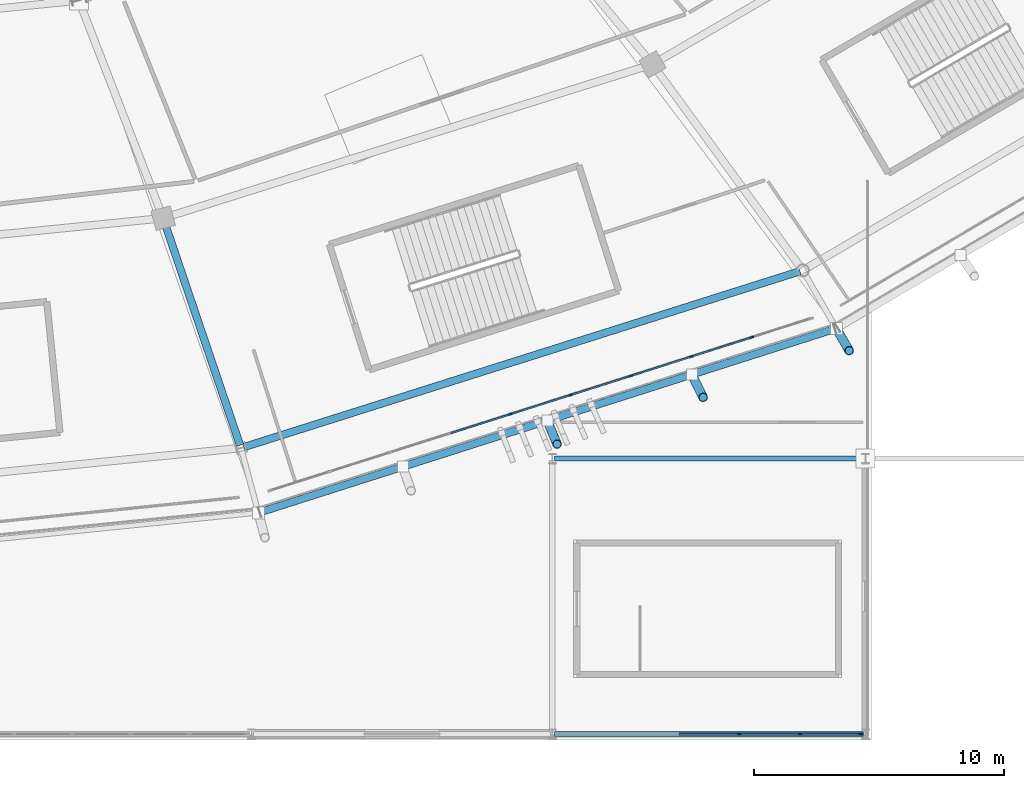
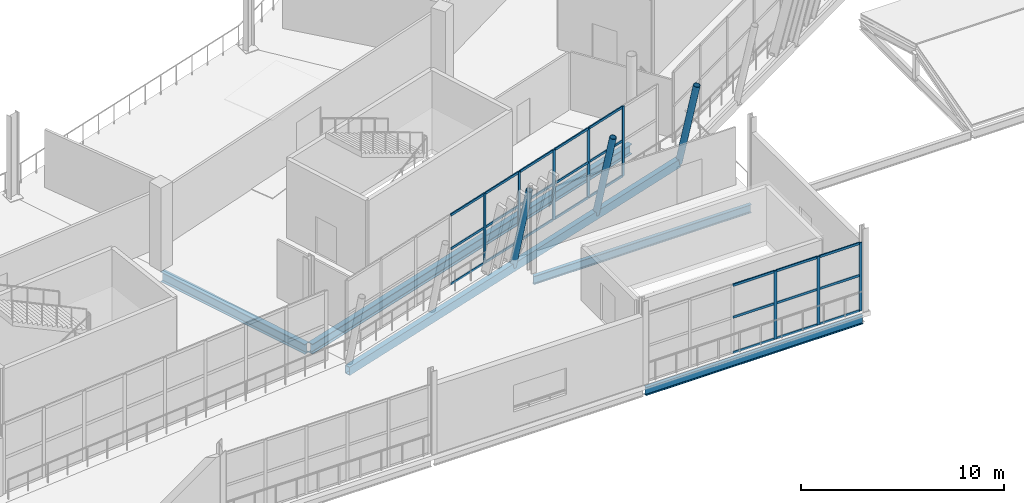
# One storey, part 50 of 179: 35 members, 5 beams, 2 elements without a shape of their own.
"""IFC4 building model written with IfcOpenShell, lengths in metres."""

import ifcopenshell
import ifcopenshell.guid

model = None  # the IFC model being written
_history = None  # IfcOwnerHistory: only IFC2X3 demands one
_inside = {}  # id of a spatial element -> (the spatial element, [elements in it])
_under = {}  # id of a project, library or spatial element -> (it, [spatial elements below it])
_declared = {}  # id of a project -> (the project, [libraries it declares])
_typed = {}  # id of a type object -> (the type object, [elements of that type])
_made_of = {}  # id of a material, layer set ... -> (it, [elements and type objects made of it])


def new_model(schema):
    """Start an empty IFC model of exactly this schema.

    Asked for "IFC4X3", IfcOpenShell would pick the latest addendum, in which some entities
    have other attributes; the version numbers below select the first issue.
    IFC2X3 requires an IfcOwnerHistory on every rooted entity: one is made here for all.
    """
    global model, _history
    if schema == "IFC4X3":
        model = ifcopenshell.file(schema_version=(4, 3, 0, 0))
    else:
        model = ifcopenshell.file(schema=schema)
    _inside.clear()
    _under.clear()
    _declared.clear()
    _typed.clear()
    _made_of.clear()
    _history = None
    if model.schema == "IFC2X3":
        org = make("IfcOrganization", Name="unknown")
        user = make(
            "IfcPersonAndOrganization",
            ThePerson=make("IfcPerson", FamilyName="unknown"),
            TheOrganization=org,
        )
        app = make(
            "IfcApplication",
            ApplicationDeveloper=org,
            Version="unknown",
            ApplicationFullName="unknown",
            ApplicationIdentifier="unknown",
        )
        _history = make(
            "IfcOwnerHistory",
            OwningUser=user,
            OwningApplication=app,
            ChangeAction="ADDED",
            CreationDate=0,
        )
    return model


def make(cls, **values):
    """One entity of the class cls with the attributes given. An attribute that is None is left unset."""
    return model.create_entity(
        cls, **{name: value for name, value in values.items() if value is not None}
    )


def rooted(cls, **values):
    """An entity with a GlobalId (a new one), such as an element, a storey or a relation."""
    return make(cls, GlobalId=ifcopenshell.guid.new(), OwnerHistory=_history, **values)


def si_unit(unit_type, name, prefix=None):
    """IfcSIUnit, for example si_unit("LENGTHUNIT", "METRE", prefix="MILLI")."""
    return make("IfcSIUnit", UnitType=unit_type, Prefix=prefix, Name=name)


def assignment(units):
    """IfcUnitAssignment: the units of a project."""
    return None if units is None else make("IfcUnitAssignment", Units=units)


def point(xyz):
    """IfcCartesianPoint."""
    return None if xyz is None else make("IfcCartesianPoint", Coordinates=xyz)


def direction(xyz):
    """IfcDirection."""
    return None if xyz is None else make("IfcDirection", DirectionRatios=xyz)


def frame(location, z_axis=None, x_axis=None):
    """IfcAxis2Placement3D, a coordinate frame: its origin and axes. An axis left out is left unset."""
    return make(
        "IfcAxis2Placement3D",
        Location=point(location),
        Axis=direction(z_axis),
        RefDirection=direction(x_axis),
    )


def frame_2d(location, x_axis=None):
    """IfcAxis2Placement2D, a coordinate frame in the plane: its origin and x axis."""
    return make(
        "IfcAxis2Placement2D", Location=point(location), RefDirection=direction(x_axis)
    )


def origin():
    """The frame at (0, 0, 0) with its axes left unset."""
    return frame((0.0, 0.0, 0.0))


def origin_2d():
    """The frame at (0, 0) in the plane with its x axis left unset."""
    return frame_2d((0.0, 0.0))


def place(relative_to, where):
    """IfcLocalPlacement: puts the frame where relative to a parent placement (None: the world)."""
    return make(
        "IfcLocalPlacement", PlacementRelTo=relative_to, RelativePlacement=where
    )


def context(
    kind, dimensions, precision=None, world=None, true_north=None, identifier=None
):
    """IfcGeometricRepresentationContext, for example the 3D "Model" context."""
    return make(
        "IfcGeometricRepresentationContext",
        ContextIdentifier=identifier,
        ContextType=kind,
        CoordinateSpaceDimension=dimensions,
        Precision=precision,
        WorldCoordinateSystem=world,
        TrueNorth=true_north,
    )


def subcontext(parent, identifier, kind, view, scale=None):
    """IfcGeometricRepresentationSubContext, for example "Body" below "Model"."""
    return make(
        "IfcGeometricRepresentationSubContext",
        ContextIdentifier=identifier,
        ContextType=kind,
        ParentContext=parent,
        TargetScale=scale,
        TargetView=view,
    )


def project(units=None, contexts=None):
    """IfcProject with its units and contexts."""
    return rooted(
        "IfcProject",
        Name="project",
        RepresentationContexts=contexts,
        UnitsInContext=assignment(units),
    )


def spatial(cls, under=None, at=None, **own):
    """A site, building, storey or space (cls), placed at a placement, below another one or the project."""
    s = rooted(cls, ObjectPlacement=at, **own)
    if under is not None:
        _under.setdefault(under.id(), (under, []))[1].append(s)
    return s


def profile(cls, at=None, kind="AREA", **sizes):
    """A parametric profile (cls). Its sizes go by their IFC names, for example OverallWidth=200.0."""
    return make(cls, ProfileType=kind, Position=at, **sizes)


def rectangle(**sizes):
    """IfcRectangleProfileDef."""
    return profile("IfcRectangleProfileDef", **sizes)


def hollow_rectangle(**sizes):
    """IfcRectangleHollowProfileDef."""
    return profile("IfcRectangleHollowProfileDef", **sizes)


def hollow_circle(**sizes):
    """IfcCircleHollowProfileDef."""
    return profile("IfcCircleHollowProfileDef", **sizes)


def i_section(**sizes):
    """IfcIShapeProfileDef."""
    return profile("IfcIShapeProfileDef", **sizes)


def extrude(swept, where, along, depth):
    """IfcExtrudedAreaSolid: the profile swept, set in the frame where, extruded along a direction by depth."""
    return make(
        "IfcExtrudedAreaSolid",
        SweptArea=swept,
        Position=where,
        ExtrudedDirection=direction(along),
        Depth=depth,
    )


def shape(context_of_items, identifier, shape_type, items):
    """IfcShapeRepresentation: the items that make up one representation, for example the "Body"."""
    return make(
        "IfcShapeRepresentation",
        ContextOfItems=context_of_items,
        RepresentationIdentifier=identifier,
        RepresentationType=shape_type,
        Items=items,
    )


def material(Name=None, Category=None):
    """IfcMaterial."""
    return make("IfcMaterial", Name=Name, Category=Category)


def material_profile(
    of_material, cross_section, Name=None, Category=None, Priority=None
):
    """IfcMaterialProfile: a cross section and its material."""
    return make(
        "IfcMaterialProfile",
        Name=Name,
        Material=of_material,
        Profile=cross_section,
        Priority=Priority,
        Category=Category,
    )


def profile_set(profiles, Name=None, composite=None):
    """IfcMaterialProfileSet."""
    return make(
        "IfcMaterialProfileSet",
        Name=Name,
        MaterialProfiles=profiles,
        CompositeProfile=composite,
    )


def made_of(thing, what):
    """Note that an element or type object is made of a material, layer set ...; save() writes the relation."""
    if what is not None:
        _made_of.setdefault(what.id(), (what, []))[1].append(thing)
    return thing


def type_object(cls, material=None, **own):
    """A type object (cls), such as IfcWallType, which elements share."""
    return made_of(rooted(cls, **own), material)


def element(
    cls,
    number,
    at=None,
    inside=None,
    cuts=None,
    type_object=None,
    material=None,
    context=None,
    identifier="Body",
    shape_type=None,
    held_by="IfcProductDefinitionShape",
    body=None,
    shapes=None,
    **own,
):
    """One element of the class cls, such as IfcWall. Its Tag is "e" and its number.

    at: its placement. inside: the storey or other place that contains it. cuts: it is an
    opening in that element (IfcRelVoidsElement). A single representation is given by context,
    identifier, shape_type and body (its items); several are given by shapes. held_by: the class
    of the entity that holds the representations. save() writes the other relations.
    """
    e = rooted(cls, Tag="e%d" % number, ObjectPlacement=at, **own)
    if body is not None:
        shapes = [shape(context, identifier, shape_type, body)]
    if shapes is not None:
        e.Representation = make(held_by, Representations=shapes)
    if inside is not None:
        _inside.setdefault(inside.id(), (inside, []))[1].append(e)
    if cuts is not None:
        rooted(
            "IfcRelVoidsElement", RelatingBuildingElement=cuts, RelatedOpeningElement=e
        )
    if type_object is not None:
        _typed.setdefault(type_object.id(), (type_object, []))[1].append(e)
    return made_of(e, material)


def aggregate(whole, parts):
    """IfcRelAggregates: a whole, such as a stair, and the parts it consists of."""
    return rooted("IfcRelAggregates", RelatingObject=whole, RelatedObjects=parts)


def save(model, path):
    """Write the relations noted so far, then the file.

    IfcRelAggregates (storeys below a building ...), IfcRelContainedInSpatialStructure (elements
    in a storey), IfcRelDefinesByType, IfcRelAssociatesMaterial and IfcRelDeclares: one each for
    every whole, place, type object, material and project.
    """
    for whole, parts in _under.values():
        aggregate(whole, parts)
    for where, things in _inside.values():
        rooted(
            "IfcRelContainedInSpatialStructure",
            RelatedElements=things,
            RelatingStructure=where,
        )
    for kind, things in _typed.values():
        rooted("IfcRelDefinesByType", RelatedObjects=things, RelatingType=kind)
    for what, things in _made_of.values():
        rooted("IfcRelAssociatesMaterial", RelatedObjects=things, RelatingMaterial=what)
    for by, libraries in _declared.values():
        rooted("IfcRelDeclares", RelatingContext=by, RelatedDefinitions=libraries)
    model.write(path)


model = new_model("IFC4")

# Units and contexts
model_context = context("Model", 3, precision=1e-05, world=origin(), true_north=direction((0.0, 1.0)))
body_context = subcontext(model_context, "Body", "Model", "MODEL_VIEW")
ifc_project = project(units=[si_unit("LENGTHUNIT", "METRE"), si_unit("AREAUNIT", "SQUARE_METRE"), si_unit("VOLUMEUNIT", "CUBIC_METRE"), si_unit("PLANEANGLEUNIT", "RADIAN"), si_unit("MASSUNIT", "GRAM", prefix="KILO")], contexts=[model_context])

# Site, building, storey
site_placement = place(None, origin())
site = spatial("IfcSite", under=ifc_project, at=site_placement, CompositionType="ELEMENT")
building_placement = place(site_placement, origin())
building = spatial("IfcBuilding", under=site, at=building_placement, Name="Zlatoyarsky Gate Stadium", CompositionType="ELEMENT")
storey_placement = place(building_placement, frame((0.0, 0.0, 10.60009765625)))
storey = spatial("IfcBuildingStorey", under=building, at=storey_placement, Name="L02", CompositionType="ELEMENT", Elevation=10.60009765625)

# Curtain wall, members
ifc_material_1 = material(Name="Thermally broken anodised aluminium curtain wall", Category="aluminium")
curtain_wall_type_1 = type_object("IfcCurtainWallType", Name="UNITISED HOSPITALITY GLAZING L02", PredefinedType="USERDEFINED", material=ifc_material_1)
curtain_wall_1_placement = place(storey_placement, origin())
curtain_wall_1 = element("IfcCurtainWall", 1, at=curtain_wall_1_placement, inside=storey, type_object=curtain_wall_type_1, Name="Curtain wall CW-L02-19", ObjectType="UNITISED GLAZING", PredefinedType="USERDEFINED")
ifc_material_2 = material(Name="Anodised aluminium 6063-T6", Category="aluminium")
ifc_material_profile_1 = material_profile(ifc_material_2, rectangle(XDim=0.06494140625, YDim=0.159912109375, at=origin_2d()), Name="ALU 65X160")
ifc_profile_set_1 = profile_set([ifc_material_profile_1], Name="Anodised aluminium 6063-T6")
member_type_1 = type_object("IfcMemberType", Name="ALUMINIUM MULLION 65X160", PredefinedType="MULLION", material=ifc_profile_set_1)
member_1_placement = place(storey_placement, frame((145.8310546875, 12.772705078125, 0.0), z_axis=(0.0, 0.0, 1.0), x_axis=(-0.303278080998, 0.952902096538, 0.0)))
member_1 = element("IfcMember", 2, at=member_1_placement, type_object=member_type_1, Name="CW-UG2 mullion 5", PredefinedType="MULLION", context=body_context, shape_type="SweptSolid", body=[
    extrude(rectangle(XDim=0.06494140625, YDim=0.159912109375, at=origin_2d()), origin(), (0.0, 0.0, 1.0), 4.199951171875),
])
member_2_placement = place(storey_placement, frame((148.238525390625, 13.5390625, 0.0), z_axis=(0.0, 0.0, 1.0), x_axis=(-0.303278080998, 0.952902096538, 0.0)))
member_2 = element("IfcMember", 3, at=member_2_placement, type_object=member_type_1, Name="CW-UG2 mullion 6", PredefinedType="MULLION", context=body_context, shape_type="SweptSolid", body=[
    extrude(rectangle(XDim=0.06494140625, YDim=0.159912109375, at=origin_2d()), origin(), (0.0, 0.0, 1.0), 4.199951171875),
])
member_3_placement = place(storey_placement, frame((150.64599609375, 14.30517578125, 0.0), z_axis=(0.0, 0.0, 1.0), x_axis=(-0.303278080998, 0.952902096538, 0.0)))
member_3 = element("IfcMember", 4, at=member_3_placement, type_object=member_type_1, Name="CW-UG2 mullion 7", PredefinedType="MULLION", context=body_context, shape_type="SweptSolid", body=[
    extrude(rectangle(XDim=0.06494140625, YDim=0.159912109375, at=origin_2d()), origin(), (0.0, 0.0, 1.0), 4.199951171875),
])
member_4_placement = place(storey_placement, frame((153.053466796875, 15.071533203125, 0.0), z_axis=(0.0, 0.0, 1.0), x_axis=(-0.303278080998, 0.952902096538, 0.0)))
member_4 = element("IfcMember", 5, at=member_4_placement, type_object=member_type_1, Name="CW-UG2 mullion 8", PredefinedType="MULLION", context=body_context, shape_type="SweptSolid", body=[
    extrude(rectangle(XDim=0.06494140625, YDim=0.159912109375, at=origin_2d()), origin(), (0.0, 0.0, 1.0), 4.199951171875),
])
member_5_placement = place(storey_placement, frame((155.461181640625, 15.837646484375, 0.0), z_axis=(0.0, 0.0, 1.0), x_axis=(-0.303278080998, 0.952902096538, 0.0)))
member_5 = element("IfcMember", 6, at=member_5_placement, type_object=member_type_1, Name="CW-UG2 mullion 9", PredefinedType="MULLION", context=body_context, shape_type="SweptSolid", body=[
    extrude(rectangle(XDim=0.06494140625, YDim=0.159912109375, at=origin_2d()), origin(), (0.0, 0.0, 1.0), 4.199951171875),
])

curtain_wall_type_2 = type_object("IfcCurtainWallType", Name="WINTER GARDEN CONSERVATORY GLAZING", PredefinedType="USERDEFINED", material=ifc_material_1)
curtain_wall_2_placement = place(storey_placement, origin())
curtain_wall_2 = element("IfcCurtainWall", 7, at=curtain_wall_2_placement, inside=storey, type_object=curtain_wall_type_2, Name="Curtain wall CW-V3_SOUTH-L02-164", ObjectType="UNITISED GLAZING", PredefinedType="USERDEFINED")
member_6_placement = place(storey_placement, frame((154.967529296875, 0.0, 0.0), z_axis=(0.0, 0.0, 1.0), x_axis=(0.0, 1.0, 0.0)))
member_6 = element("IfcMember", 8, at=member_6_placement, type_object=member_type_1, Name="CW-WG1 mullion 4", PredefinedType="MULLION", context=body_context, shape_type="SweptSolid", body=[
    extrude(rectangle(XDim=0.06494140625, YDim=0.159912109375, at=origin_2d()), origin(), (0.0, 0.0, 1.0), 4.099853515625),
])
member_7_placement = place(storey_placement, frame((157.40283203125, 0.0, 0.0), z_axis=(0.0, 0.0, 1.0), x_axis=(0.0, 1.0, 0.0)))
member_7 = element("IfcMember", 9, at=member_7_placement, type_object=member_type_1, Name="CW-WG1 mullion 5", PredefinedType="MULLION", context=body_context, shape_type="SweptSolid", body=[
    extrude(rectangle(XDim=0.06494140625, YDim=0.159912109375, at=origin_2d()), origin(), (0.0, 0.0, 1.0), 4.099853515625),
])
member_8_placement = place(storey_placement, frame((159.805419921875, 0.0, 0.0), z_axis=(0.0, 0.0, 1.0), x_axis=(0.0, 1.0, 0.0)))
member_8 = element("IfcMember", 10, at=member_8_placement, type_object=member_type_1, Name="CW-WG1 mullion 6", PredefinedType="MULLION", context=body_context, shape_type="SweptSolid", body=[
    extrude(rectangle(XDim=0.06494140625, YDim=0.159912109375, at=origin_2d()), origin(), (0.0, 0.0, 1.0), 4.099853515625),
])

# Member
ifc_material_profile_2 = material_profile(ifc_material_2, rectangle(XDim=0.06494140625, YDim=0.139892578125, at=origin_2d()), Name="ALU 65X140")
ifc_profile_set_2 = profile_set([ifc_material_profile_2], Name="Anodised aluminium 6063-T6")
member_type_2 = type_object("IfcMemberType", Name="ALUMINIUM TRANSOM 65X140", PredefinedType="USERDEFINED", material=ifc_profile_set_2)
member_9_placement = place(storey_placement, frame((143.45458984375, 12.016357421875, 0.032470703125), z_axis=(0.952890602186, 0.303314193972, 0.0), x_axis=(-0.303314193972, 0.952890602186, 0.0)))
member_9 = element("IfcMember", 11, at=member_9_placement, type_object=member_type_2, Name="CW-UG2 transom 4.1", ObjectType="TRANSOM", PredefinedType="USERDEFINED", context=body_context, shape_type="SweptSolid", body=[
    extrude(rectangle(XDim=0.06494140625, YDim=0.139892578125, at=origin_2d()), origin(), (0.0, 0.0, 1.0), 2.46142578125),
])

member_10_placement = place(storey_placement, frame((143.45458984375, 12.016357421875, 2.14990234375), z_axis=(0.952890602186, 0.303314193972, 0.0), x_axis=(-0.303314193972, 0.952890602186, 0.0)))
member_10 = element("IfcMember", 12, at=member_10_placement, type_object=member_type_2, Name="CW-UG2 transom 4.2", ObjectType="TRANSOM", PredefinedType="USERDEFINED", context=body_context, shape_type="SweptSolid", body=[
    extrude(rectangle(XDim=0.06494140625, YDim=0.139892578125, at=origin_2d()), origin(), (0.0, 0.0, 1.0), 2.46142578125),
])

member_11_placement = place(storey_placement, frame((143.45458984375, 12.016357421875, 4.16748046875), z_axis=(0.952890602186, 0.303314193972, 0.0), x_axis=(-0.303314193972, 0.952890602186, 0.0)))
member_11 = element("IfcMember", 13, at=member_11_placement, type_object=member_type_2, Name="CW-UG2 transom 4.3", ObjectType="TRANSOM", PredefinedType="USERDEFINED", context=body_context, shape_type="SweptSolid", body=[
    extrude(rectangle(XDim=0.06494140625, YDim=0.139892578125, at=origin_2d()), origin(), (0.0, 0.0, 1.0), 2.46142578125),
])

member_12_placement = place(storey_placement, frame((145.862060546875, 12.782470703125, 0.032470703125), z_axis=(0.952890602186, 0.303314193972, 0.0), x_axis=(-0.303314193972, 0.952890602186, 0.0)))
member_12 = element("IfcMember", 14, at=member_12_placement, type_object=member_type_2, Name="CW-UG2 transom 5.1", ObjectType="TRANSOM", PredefinedType="USERDEFINED", context=body_context, shape_type="SweptSolid", body=[
    extrude(rectangle(XDim=0.06494140625, YDim=0.139892578125, at=origin_2d()), origin(), (0.0, 0.0, 1.0), 2.46142578125),
])

member_13_placement = place(storey_placement, frame((145.862060546875, 12.782470703125, 2.14990234375), z_axis=(0.952890602186, 0.303314193972, 0.0), x_axis=(-0.303314193972, 0.952890602186, 0.0)))
member_13 = element("IfcMember", 15, at=member_13_placement, type_object=member_type_2, Name="CW-UG2 transom 5.2", ObjectType="TRANSOM", PredefinedType="USERDEFINED", context=body_context, shape_type="SweptSolid", body=[
    extrude(rectangle(XDim=0.06494140625, YDim=0.139892578125, at=origin_2d()), origin(), (0.0, 0.0, 1.0), 2.46142578125),
])

member_14_placement = place(storey_placement, frame((145.862060546875, 12.782470703125, 4.16748046875), z_axis=(0.952890602186, 0.303314193972, 0.0), x_axis=(-0.303314193972, 0.952890602186, 0.0)))
member_14 = element("IfcMember", 16, at=member_14_placement, type_object=member_type_2, Name="CW-UG2 transom 5.3", ObjectType="TRANSOM", PredefinedType="USERDEFINED", context=body_context, shape_type="SweptSolid", body=[
    extrude(rectangle(XDim=0.06494140625, YDim=0.139892578125, at=origin_2d()), origin(), (0.0, 0.0, 1.0), 2.46142578125),
])

member_15_placement = place(storey_placement, frame((148.26953125, 13.548828125, 0.032470703125), z_axis=(0.952890602186, 0.303314193972, 0.0), x_axis=(-0.303314193972, 0.952890602186, 0.0)))
member_15 = element("IfcMember", 17, at=member_15_placement, type_object=member_type_2, Name="CW-UG2 transom 6.1", ObjectType="TRANSOM", PredefinedType="USERDEFINED", context=body_context, shape_type="SweptSolid", body=[
    extrude(rectangle(XDim=0.06494140625, YDim=0.139892578125, at=origin_2d()), origin(), (0.0, 0.0, 1.0), 2.46142578125),
])

member_16_placement = place(storey_placement, frame((148.26953125, 13.548828125, 2.14990234375), z_axis=(0.952890602186, 0.303314193972, 0.0), x_axis=(-0.303314193972, 0.952890602186, 0.0)))
member_16 = element("IfcMember", 18, at=member_16_placement, type_object=member_type_2, Name="CW-UG2 transom 6.2", ObjectType="TRANSOM", PredefinedType="USERDEFINED", context=body_context, shape_type="SweptSolid", body=[
    extrude(rectangle(XDim=0.06494140625, YDim=0.139892578125, at=origin_2d()), origin(), (0.0, 0.0, 1.0), 2.46142578125),
])

member_17_placement = place(storey_placement, frame((148.26953125, 13.548828125, 4.16748046875), z_axis=(0.952890602186, 0.303314193972, 0.0), x_axis=(-0.303314193972, 0.952890602186, 0.0)))
member_17 = element("IfcMember", 19, at=member_17_placement, type_object=member_type_2, Name="CW-UG2 transom 6.3", ObjectType="TRANSOM", PredefinedType="USERDEFINED", context=body_context, shape_type="SweptSolid", body=[
    extrude(rectangle(XDim=0.06494140625, YDim=0.139892578125, at=origin_2d()), origin(), (0.0, 0.0, 1.0), 2.46142578125),
])

member_18_placement = place(storey_placement, frame((150.677001953125, 14.31494140625, 0.032470703125), z_axis=(0.952899726058, 0.303285528964, 0.0), x_axis=(-0.303285528964, 0.952899726058, 0.0)))
member_18 = element("IfcMember", 20, at=member_18_placement, type_object=member_type_2, Name="CW-UG2 transom 7.1", ObjectType="TRANSOM", PredefinedType="USERDEFINED", context=body_context, shape_type="SweptSolid", body=[
    extrude(rectangle(XDim=0.06494140625, YDim=0.139892578125, at=origin_2d()), origin(), (0.0, 0.0, 1.0), 2.461669921875),
])

member_19_placement = place(storey_placement, frame((150.677001953125, 14.31494140625, 2.14990234375), z_axis=(0.952899726058, 0.303285528964, 0.0), x_axis=(-0.303285528964, 0.952899726058, 0.0)))
member_19 = element("IfcMember", 21, at=member_19_placement, type_object=member_type_2, Name="CW-UG2 transom 7.2", ObjectType="TRANSOM", PredefinedType="USERDEFINED", context=body_context, shape_type="SweptSolid", body=[
    extrude(rectangle(XDim=0.06494140625, YDim=0.139892578125, at=origin_2d()), origin(), (0.0, 0.0, 1.0), 2.461669921875),
])

member_20_placement = place(storey_placement, frame((150.677001953125, 14.31494140625, 4.16748046875), z_axis=(0.952899726058, 0.303285528964, 0.0), x_axis=(-0.303285528964, 0.952899726058, 0.0)))
member_20 = element("IfcMember", 22, at=member_20_placement, type_object=member_type_2, Name="CW-UG2 transom 7.3", ObjectType="TRANSOM", PredefinedType="USERDEFINED", context=body_context, shape_type="SweptSolid", body=[
    extrude(rectangle(XDim=0.06494140625, YDim=0.139892578125, at=origin_2d()), origin(), (0.0, 0.0, 1.0), 2.461669921875),
])

member_21_placement = place(storey_placement, frame((153.08447265625, 15.081298828125, 0.032470703125), z_axis=(0.952899726058, 0.303285528964, 0.0), x_axis=(-0.303285528964, 0.952899726058, 0.0)))
member_21 = element("IfcMember", 23, at=member_21_placement, type_object=member_type_2, Name="CW-UG2 transom 8.1", ObjectType="TRANSOM", PredefinedType="USERDEFINED", context=body_context, shape_type="SweptSolid", body=[
    extrude(rectangle(XDim=0.06494140625, YDim=0.139892578125, at=origin_2d()), origin(), (0.0, 0.0, 1.0), 2.461669921875),
])

member_22_placement = place(storey_placement, frame((153.08447265625, 15.081298828125, 2.14990234375), z_axis=(0.952899726058, 0.303285528964, 0.0), x_axis=(-0.303285528964, 0.952899726058, 0.0)))
member_22 = element("IfcMember", 24, at=member_22_placement, type_object=member_type_2, Name="CW-UG2 transom 8.2", ObjectType="TRANSOM", PredefinedType="USERDEFINED", context=body_context, shape_type="SweptSolid", body=[
    extrude(rectangle(XDim=0.06494140625, YDim=0.139892578125, at=origin_2d()), origin(), (0.0, 0.0, 1.0), 2.461669921875),
])

member_23_placement = place(storey_placement, frame((153.08447265625, 15.081298828125, 4.16748046875), z_axis=(0.952899726058, 0.303285528964, 0.0), x_axis=(-0.303285528964, 0.952899726058, 0.0)))
member_23 = element("IfcMember", 25, at=member_23_placement, type_object=member_type_2, Name="CW-UG2 transom 8.3", ObjectType="TRANSOM", PredefinedType="USERDEFINED", context=body_context, shape_type="SweptSolid", body=[
    extrude(rectangle(XDim=0.06494140625, YDim=0.139892578125, at=origin_2d()), origin(), (0.0, 0.0, 1.0), 2.461669921875),
])

aggregate(curtain_wall_1, [member_1, member_2, member_3, member_4, member_5, member_9, member_10, member_11, member_12, member_13, member_14, member_15, member_16, member_17, member_18, member_19, member_20, member_21, member_22, member_23])

member_24_placement = place(storey_placement, frame((152.56494140625, 0.0, 0.032470703125), z_axis=(1.0, 0.0, 0.0), x_axis=(0.0, 1.0, 0.0)))
member_24 = element("IfcMember", 26, at=member_24_placement, type_object=member_type_2, Name="CW-WG1 transom 3.1", ObjectType="TRANSOM", PredefinedType="USERDEFINED", context=body_context, shape_type="SweptSolid", body=[
    extrude(rectangle(XDim=0.06494140625, YDim=0.139892578125, at=origin_2d()), origin(), (0.0, 0.0, 1.0), 2.3701171875),
])

member_25_placement = place(storey_placement, frame((152.56494140625, 0.0, 2.14990234375), z_axis=(1.0, 0.0, 0.0), x_axis=(0.0, 1.0, 0.0)))
member_25 = element("IfcMember", 27, at=member_25_placement, type_object=member_type_2, Name="CW-WG1 transom 3.2", ObjectType="TRANSOM", PredefinedType="USERDEFINED", context=body_context, shape_type="SweptSolid", body=[
    extrude(rectangle(XDim=0.06494140625, YDim=0.139892578125, at=origin_2d()), origin(), (0.0, 0.0, 1.0), 2.3701171875),
])

member_26_placement = place(storey_placement, frame((152.56494140625, 0.0, 4.0673828125), z_axis=(1.0, 0.0, 0.0), x_axis=(0.0, 1.0, 0.0)))
member_26 = element("IfcMember", 28, at=member_26_placement, type_object=member_type_2, Name="CW-WG1 transom 3.3", ObjectType="TRANSOM", PredefinedType="USERDEFINED", context=body_context, shape_type="SweptSolid", body=[
    extrude(rectangle(XDim=0.06494140625, YDim=0.139892578125, at=origin_2d()), origin(), (0.0, 0.0, 1.0), 2.3701171875),
])

member_27_placement = place(storey_placement, frame((155.0, 0.0, 0.032470703125), z_axis=(1.0, 0.0, 0.0), x_axis=(0.0, 1.0, 0.0)))
member_27 = element("IfcMember", 29, at=member_27_placement, type_object=member_type_2, Name="CW-WG1 transom 4.1", ObjectType="TRANSOM", PredefinedType="USERDEFINED", context=body_context, shape_type="SweptSolid", body=[
    extrude(rectangle(XDim=0.06494140625, YDim=0.139892578125, at=origin_2d()), origin(), (0.0, 0.0, 1.0), 2.370361328125),
])

member_28_placement = place(storey_placement, frame((155.0, 0.0, 2.14990234375), z_axis=(1.0, 0.0, 0.0), x_axis=(0.0, 1.0, 0.0)))
member_28 = element("IfcMember", 30, at=member_28_placement, type_object=member_type_2, Name="CW-WG1 transom 4.2", ObjectType="TRANSOM", PredefinedType="USERDEFINED", context=body_context, shape_type="SweptSolid", body=[
    extrude(rectangle(XDim=0.06494140625, YDim=0.139892578125, at=origin_2d()), origin(), (0.0, 0.0, 1.0), 2.370361328125),
])

member_29_placement = place(storey_placement, frame((155.0, 0.0, 4.0673828125), z_axis=(1.0, 0.0, 0.0), x_axis=(0.0, 1.0, 0.0)))
member_29 = element("IfcMember", 31, at=member_29_placement, type_object=member_type_2, Name="CW-WG1 transom 4.3", ObjectType="TRANSOM", PredefinedType="USERDEFINED", context=body_context, shape_type="SweptSolid", body=[
    extrude(rectangle(XDim=0.06494140625, YDim=0.139892578125, at=origin_2d()), origin(), (0.0, 0.0, 1.0), 2.370361328125),
])

member_30_placement = place(storey_placement, frame((157.435302734375, 0.0, 0.032470703125), z_axis=(1.0, 0.0, 0.0), x_axis=(0.0, 1.0, 0.0)))
member_30 = element("IfcMember", 32, at=member_30_placement, type_object=member_type_2, Name="CW-WG1 transom 5.1", ObjectType="TRANSOM", PredefinedType="USERDEFINED", context=body_context, shape_type="SweptSolid", body=[
    extrude(rectangle(XDim=0.06494140625, YDim=0.139892578125, at=origin_2d()), origin(), (0.0, 0.0, 1.0), 2.337646484375),
])

member_31_placement = place(storey_placement, frame((157.435302734375, 0.0, 2.14990234375), z_axis=(1.0, 0.0, 0.0), x_axis=(0.0, 1.0, 0.0)))
member_31 = element("IfcMember", 33, at=member_31_placement, type_object=member_type_2, Name="CW-WG1 transom 5.2", ObjectType="TRANSOM", PredefinedType="USERDEFINED", context=body_context, shape_type="SweptSolid", body=[
    extrude(rectangle(XDim=0.06494140625, YDim=0.139892578125, at=origin_2d()), origin(), (0.0, 0.0, 1.0), 2.337646484375),
])

member_32_placement = place(storey_placement, frame((157.435302734375, 0.0, 4.0673828125), z_axis=(1.0, 0.0, 0.0), x_axis=(0.0, 1.0, 0.0)))
member_32 = element("IfcMember", 34, at=member_32_placement, type_object=member_type_2, Name="CW-WG1 transom 5.3", ObjectType="TRANSOM", PredefinedType="USERDEFINED", context=body_context, shape_type="SweptSolid", body=[
    extrude(rectangle(XDim=0.06494140625, YDim=0.139892578125, at=origin_2d()), origin(), (0.0, 0.0, 1.0), 2.337646484375),
])

aggregate(curtain_wall_2, [member_6, member_7, member_8, member_24, member_25, member_26, member_27, member_28, member_29, member_30, member_31, member_32])

# Beams
ifc_material_3 = material(Name="Steel S355", Category="steel")
ifc_material_profile_3 = material_profile(ifc_material_3, i_section(OverallWidth=0.199951171875, OverallDepth=0.5, WebThickness=0.01025390625, FlangeThickness=0.01611328125, FilletRadius=0.02099609375, at=origin_2d()), Name="IPE 500")
ifc_profile_set_3 = profile_set([ifc_material_profile_3], Name="Steel S355")
beam_type_1 = type_object("IfcBeamType", Name="STEEL FLOOR BEAM IPE 500", PredefinedType="BEAM", material=ifc_profile_set_3)
for number, where, z_axis, x_axis, name in (
    (35, (147.580078125, 0.0, -0.530029296875), (1.0, 0.0, 0.0), (0.0, 1.0, 0.0), "Beam B-IPE500 BM-L02-WGX-13-A"),
    (36, (147.580078125, 11.0, -0.530029296875), (1.0, 0.0, 0.0), (0.0, 1.0, 0.0), "Beam B-IPE500 BM-L02-WGX-13-B"),
):
    element("IfcBeam", number, at=place(storey_placement, frame(where, z_axis=z_axis, x_axis=x_axis)), inside=storey, type_object=beam_type_1, Name=name, PredefinedType="BEAM", context=body_context, shape_type="SweptSolid", body=[
        extrude(i_section(OverallWidth=0.199951171875, OverallDepth=0.5, WebThickness=0.01025390625, FlangeThickness=0.01611328125, FilletRadius=0.02099609375, at=origin_2d()), origin(), (0.0, 0.0, 1.0), 12.33984375),
    ])

# Members
ifc_material_profile_4 = material_profile(ifc_material_3, hollow_circle(Radius=0.177734375, WallThickness=0.02001953125, at=origin_2d()), Name="CHS 355.6X20")
ifc_profile_set_4 = profile_set([ifc_material_profile_4], Name="Steel S355")
member_type_3 = type_object("IfcMemberType", Name="STEEL LEANING RIB RING STRUT CHS 355.6X20", PredefinedType="STRUT", material=ifc_profile_set_4)
member_33_placement = place(storey_placement, frame((158.837890625, 16.19482421875, -0.580078125), z_axis=(0.100540139669, -0.174151593024, 0.97957281657), x_axis=(0.866039032844, 0.499976393034, 0.0)))
element("IfcMember", 37, at=member_33_placement, inside=storey, type_object=member_type_3, Name="Leaning ring strut 20 L02 to L03", PredefinedType="STRUT", context=body_context, shape_type="SweptSolid", body=[
    extrude(hollow_circle(Radius=0.177734375, WallThickness=0.02001953125, at=origin_2d()), origin(), (0.0, 0.0, 1.0), 5.104248046875),
])
member_34_placement = place(storey_placement, frame((147.30029296875, 12.5146484375, -0.530029296875), z_axis=(0.076316931677, -0.184213283357, 0.979918972249), x_axis=(0.923855963606, 0.38274032778, 0.0)))
element("IfcMember", 38, at=member_34_placement, inside=storey, type_object=member_type_3, Name="Outward-leaning bowl louvre fin rib L02 19-2", PredefinedType="STRUT", context=body_context, shape_type="SweptSolid", body=[
    extrude(hollow_circle(Radius=0.177734375, WallThickness=0.02001953125, at=origin_2d()), origin(), (0.0, 0.0, 1.0), 5.1025390625),
])
member_35_placement = place(storey_placement, frame((153.069091796875, 14.354736328125, -0.530029296875), z_axis=(0.088461637848, -0.179219737902, 0.979823874059), x_axis=(0.896713419894, 0.442611615959, 0.0)))
element("IfcMember", 39, at=member_35_placement, inside=storey, type_object=member_type_3, Name="Outward-leaning bowl louvre fin rib L02 19-3", PredefinedType="STRUT", context=body_context, shape_type="SweptSolid", body=[
    extrude(hollow_circle(Radius=0.177734375, WallThickness=0.02001953125, at=origin_2d()), origin(), (0.0, 0.0, 1.0), 5.10302734375),
])

# Beams
ifc_material_profile_5 = material_profile(ifc_material_3, hollow_rectangle(XDim=0.300048828125, YDim=0.5, WallThickness=0.02001953125, at=origin_2d()), Name="RHS 500X300X20")
ifc_profile_set_5 = profile_set([ifc_material_profile_5], Name="Steel S355")
beam_type_2 = type_object("IfcBeamType", Name="STEEL LOUVRE CARRIER SPANDREL RHS 500X300X20", PredefinedType="SPANDREL", material=ifc_profile_set_5)
beam_1_placement = place(storey_placement, frame((135.78173828125, 8.840576171875, -0.530029296875), z_axis=(0.952708602782, 0.303885370141, 0.0), x_axis=(-0.303885370141, 0.952708602782, 0.0)))
element("IfcBeam", 40, at=beam_1_placement, inside=storey, type_object=beam_type_2, Name="Beam SP-RHS500 BM-L02-SPD-19", PredefinedType="SPANDREL", context=body_context, shape_type="SweptSolid", body=[
    extrude(hollow_rectangle(XDim=0.300048828125, YDim=0.5, WallThickness=0.02001953125, at=origin_2d()), origin(), (0.0, 0.0, 1.0), 24.1806640625),
])
ifc_material_profile_6 = material_profile(ifc_material_3, i_section(OverallWidth=0.300048828125, OverallDepth=0.60009765625, WebThickness=0.015380859375, FlangeThickness=0.030029296875, FilletRadius=0.027099609375, at=origin_2d()), Name="HEB 600")
ifc_profile_set_6 = profile_set([ifc_material_profile_6], Name="Steel S355")
beam_type_3 = type_object("IfcBeamType", Name="STEEL PRIMARY GIRDER HEB 600", PredefinedType="BEAM", material=ifc_profile_set_6)
beam_2_placement = place(storey_placement, frame((132.002685546875, 20.48193359375, -0.580078125), z_axis=(0.320612225581, -0.947210536686, 0.0), x_axis=(0.947210536686, 0.320612225581, 0.0)))
element("IfcBeam", 41, at=beam_2_placement, inside=storey, type_object=beam_type_3, Name="Beam G-HEB600 BM-L02-RBC-19", PredefinedType="BEAM", context=body_context, shape_type="SweptSolid", body=[
    extrude(i_section(OverallWidth=0.300048828125, OverallDepth=0.60009765625, WebThickness=0.015380859375, FlangeThickness=0.030029296875, FilletRadius=0.027099609375, at=origin_2d()), origin(), (0.0, 0.0, 1.0), 9.44775390625),
])
beam_3_placement = place(storey_placement, frame((135.1845703125, 11.45556640625, -0.580078125), z_axis=(0.953463107403, 0.301509706015, 0.0), x_axis=(-0.301509706015, 0.953463107403, 0.0)))
element("IfcBeam", 42, at=beam_3_placement, inside=storey, type_object=beam_type_3, Name="Beam G-HEB600 BM-L02-CRC-19", PredefinedType="BEAM", context=body_context, shape_type="SweptSolid", body=[
    extrude(i_section(OverallWidth=0.300048828125, OverallDepth=0.60009765625, WebThickness=0.015380859375, FlangeThickness=0.030029296875, FilletRadius=0.027099609375, at=origin_2d()), origin(), (0.0, 0.0, 1.0), 23.284423828125),
])

save(model, "model.ifc")
